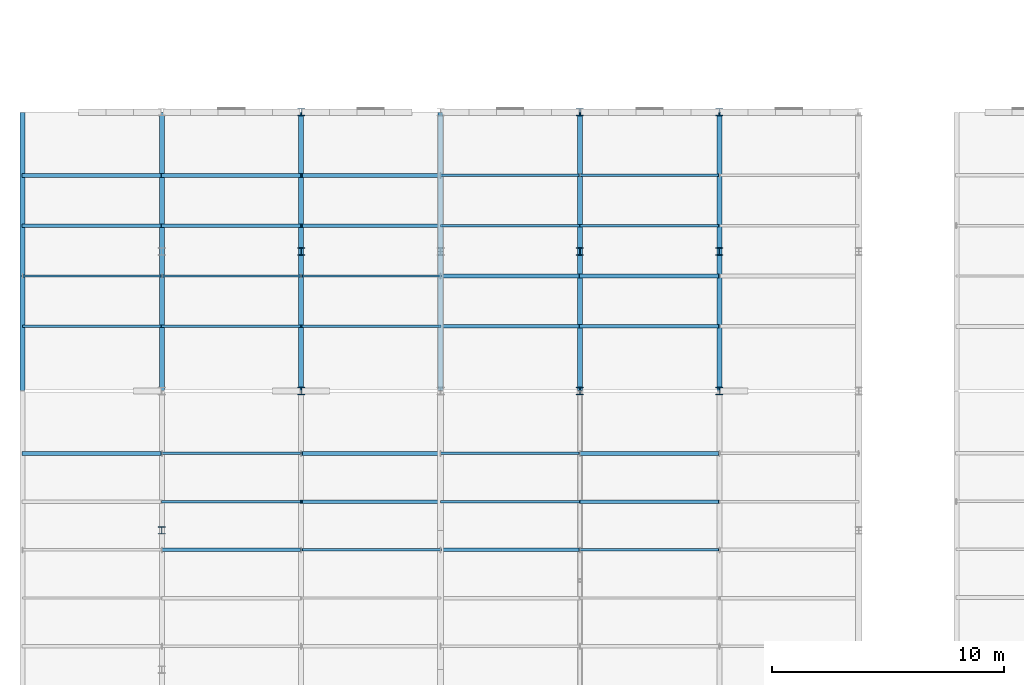
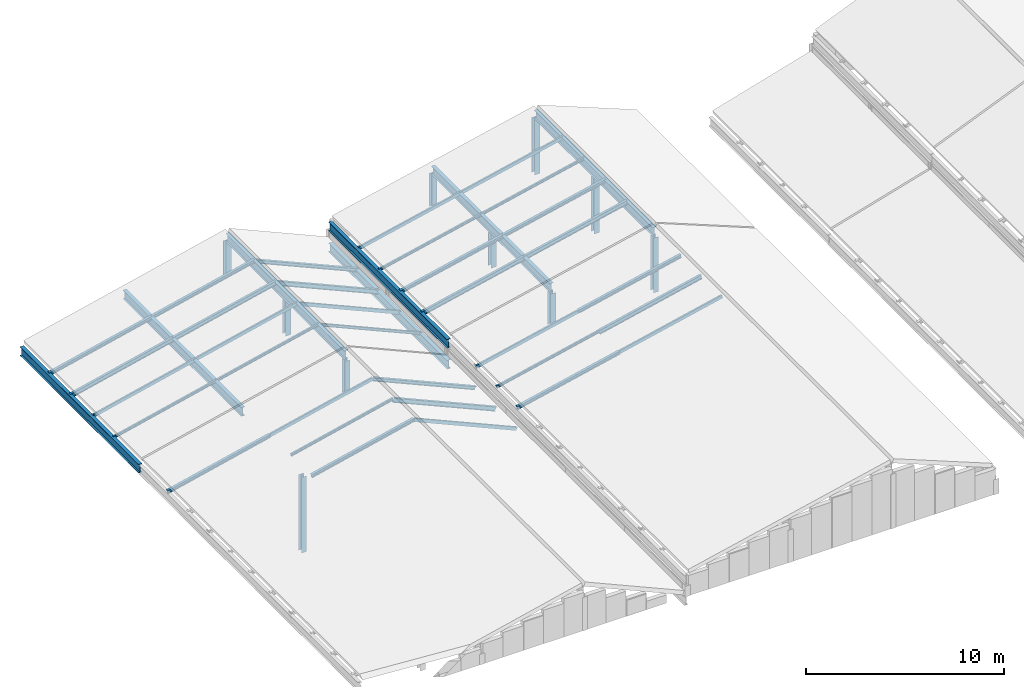
# One storey, part 5 of 74: 43 members, 7 beams.
"""IFC4 building model written with IfcOpenShell, lengths in metres."""

from ifc_helpers import new_model, si_unit, direction, frame, origin, origin_2d, place, context, subcontext, project, spatial, hollow_rectangle, i_section, extrude, material, material_profile, profile_set, type_object, element, save


model = new_model("IFC4")

# Units and contexts
model_context = context("Model", 3, precision=1e-05, world=origin(), true_north=direction((0.0, 1.0)))
body_context = subcontext(model_context, "Body", "Model", "MODEL_VIEW")
ifc_project = project(units=[si_unit("LENGTHUNIT", "METRE"), si_unit("AREAUNIT", "SQUARE_METRE"), si_unit("VOLUMEUNIT", "CUBIC_METRE"), si_unit("PLANEANGLEUNIT", "RADIAN"), si_unit("MASSUNIT", "GRAM", prefix="KILO")], contexts=[model_context])

# Site, building, storey
site_placement = place(None, origin())
site = spatial("IfcSite", under=ifc_project, at=site_placement, CompositionType="ELEMENT")
building_placement = place(site_placement, origin())
building = spatial("IfcBuilding", under=site, at=building_placement, Name="Siltcreek Boulevard Central Fire Station", CompositionType="ELEMENT")
storey_placement = place(building_placement, frame((0.0, 0.0, 25.199951171875)))
storey = spatial("IfcBuildingStorey", under=building, at=storey_placement, Name="RF", CompositionType="ELEMENT", Elevation=25.199951171875)

# Beams
ifc_material_1 = material(Name="Structural steel ASTM A992 Gr50", Category="steel")
ifc_material_profile_1 = material_profile(ifc_material_1, i_section(OverallWidth=0.2109375, OverallDepth=0.5390625, WebThickness=0.01171875, FlangeThickness=0.018798828125, at=origin_2d()), Name="W530X109")
ifc_profile_set_1 = profile_set([ifc_material_profile_1], Name="Structural steel ASTM A992 Gr50")
beam_type = type_object("IfcBeamType", Name="BM_W530X109", PredefinedType="BEAM", material=ifc_profile_set_1)
for number, where, z_axis, x_axis, name in (
    (1, (1.800048828125, 42.010009765625, -15.65283203125), (0.0, 1.0, 0.0), (-1.0, 0.0, 0.0), "Pitched roof rafter beam RFB-039"),
    (2, (7.800048828125, 42.010009765625, -14.2529296875), (0.0, 1.0, 0.0), (-1.0, 0.0, 0.0), "Pitched roof rafter beam RFB-040"),
    (3, (13.800048828125, 42.010009765625, -12.85302734375), (0.0, 1.0, 0.0), (-1.0, 0.0, 0.0), "Pitched roof rafter beam RFB-041"),
    (4, (19.800048828125, 42.010009765625, -15.54443359375), (0.0, 1.0, 0.0), (-1.0, 0.0, 0.0), "Pitched roof rafter beam RFB-042"),
    (5, (19.800048828125, 42.010009765625, -14.25146484375), (0.0, 1.0, 0.0), (-1.0, 0.0, 0.0), "Pitched roof rafter beam RFB-047"),
    (6, (25.800048828125, 42.010009765625, -12.9013671875), (0.0, 1.0, 0.0), (-1.0, 0.0, 0.0), "Pitched roof rafter beam RFB-048"),
    (7, (31.800048828125, 42.010009765625, -11.551513671875), (0.0, 1.0, 0.0), (-1.0, 0.0, 0.0), "Pitched roof rafter beam RFB-049"),
):
    element("IfcBeam", number, at=place(storey_placement, frame(where, z_axis=z_axis, x_axis=x_axis)), inside=storey, type_object=beam_type, Name=name, PredefinedType="BEAM", context=body_context, shape_type="SweptSolid", body=[
        extrude(i_section(OverallWidth=0.2109375, OverallDepth=0.5390625, WebThickness=0.01171875, FlangeThickness=0.018798828125, at=origin_2d()), origin(), (0.0, 0.0, 1.0), 11.97998046875),
    ])

# Members
ifc_material_profile_2 = material_profile(ifc_material_1, i_section(OverallWidth=0.304931640625, OverallDepth=0.30810546875, WebThickness=0.010009765625, FlangeThickness=0.015380859375, at=origin_2d()), Name="W310X97")
ifc_profile_set_2 = profile_set([ifc_material_profile_2], Name="Structural steel ASTM A992 Gr50")
member_type_1 = type_object("IfcMemberType", Name="CH_W310X97", PredefinedType="CHORD", material=ifc_profile_set_2)
member_1_placement = place(storey_placement, frame((7.800048828125, 36.0, -19.199951171875), z_axis=(0.0, 0.0, 1.0), x_axis=(1.0, 0.0, 0.0)))
element("IfcMember", 8, at=member_1_placement, inside=storey, type_object=member_type_1, Name="Roof bearing truss post 0662", PredefinedType="CHORD", context=body_context, shape_type="SweptSolid", body=[
    extrude(i_section(OverallWidth=0.304931640625, OverallDepth=0.30810546875, WebThickness=0.010009765625, FlangeThickness=0.015380859375, at=origin_2d()), origin(), (0.0, 0.0, 1.0), 4.660888671875),
])
for number, where, z_axis, x_axis, name in (
    (9, (13.800048828125, 42.0, -15.199951171875), (0.0, 0.0, 1.0), (1.0, 0.0, 0.0), "Roof bearing truss post 0667"),
    (10, (13.800048828125, 48.0, -15.199951171875), (0.0, 0.0, 1.0), (1.0, 0.0, 0.0), "Roof bearing truss post 0668"),
    (11, (13.800048828125, 54.0, -15.199951171875), (0.0, 0.0, 1.0), (1.0, 0.0, 0.0), "Roof bearing truss post 0669"),
):
    element("IfcMember", number, at=place(storey_placement, frame(where, z_axis=z_axis, x_axis=x_axis)), inside=storey, type_object=member_type_1, Name=name, PredefinedType="CHORD", context=body_context, shape_type="SweptSolid", body=[
        extrude(i_section(OverallWidth=0.304931640625, OverallDepth=0.30810546875, WebThickness=0.010009765625, FlangeThickness=0.015380859375, at=origin_2d()), origin(), (0.0, 0.0, 1.0), 2.08154296875),
    ])
for number, where, z_axis, x_axis, name in (
    (12, (25.800048828125, 42.0, -15.199951171875), (0.0, 0.0, 1.0), (1.0, 0.0, 0.0), "Roof bearing truss post 0675"),
    (13, (25.800048828125, 48.0, -15.199951171875), (0.0, 0.0, 1.0), (1.0, 0.0, 0.0), "Roof bearing truss post 0676"),
    (14, (25.800048828125, 54.0, -15.199951171875), (0.0, 0.0, 1.0), (1.0, 0.0, 0.0), "Roof bearing truss post 0677"),
):
    element("IfcMember", number, at=place(storey_placement, frame(where, z_axis=z_axis, x_axis=x_axis)), inside=storey, type_object=member_type_1, Name=name, PredefinedType="CHORD", context=body_context, shape_type="SweptSolid", body=[
        extrude(i_section(OverallWidth=0.304931640625, OverallDepth=0.30810546875, WebThickness=0.010009765625, FlangeThickness=0.015380859375, at=origin_2d()), origin(), (0.0, 0.0, 1.0), 2.032958984375),
    ])
for number, where, z_axis, x_axis, name in (
    (15, (31.800048828125, 42.0, -15.199951171875), (0.0, 0.0, 1.0), (1.0, 0.0, 0.0), "Roof bearing truss post 0679"),
    (16, (31.800048828125, 48.0, -15.199951171875), (0.0, 0.0, 1.0), (1.0, 0.0, 0.0), "Roof bearing truss post 0680"),
    (17, (31.800048828125, 54.0, -15.199951171875), (0.0, 0.0, 1.0), (1.0, 0.0, 0.0), "Roof bearing truss post 0681"),
):
    element("IfcMember", number, at=place(storey_placement, frame(where, z_axis=z_axis, x_axis=x_axis)), inside=storey, type_object=member_type_1, Name=name, PredefinedType="CHORD", context=body_context, shape_type="SweptSolid", body=[
        extrude(i_section(OverallWidth=0.304931640625, OverallDepth=0.30810546875, WebThickness=0.010009765625, FlangeThickness=0.015380859375, at=origin_2d()), origin(), (0.0, 0.0, 1.0), 3.383056640625),
    ])
ifc_material_2 = material(Name="Structural steel ASTM A500 GrC", Category="steel")
ifc_material_profile_3 = material_profile(ifc_material_2, hollow_rectangle(XDim=0.10009765625, YDim=0.199951171875, WallThickness=0.00634765625, at=origin_2d()), Name="HSS200X100X6.4")
ifc_profile_set_3 = profile_set([ifc_material_profile_3], Name="Structural steel ASTM A500 GrC")
member_type_2 = type_object("IfcMemberType", Name="PR_HSS200X100", PredefinedType="PURLIN", material=ifc_profile_set_3)
member_2_placement = place(storey_placement, frame((7.81005859375, 39.313720703125, -14.071044921875), z_axis=(0.973843555816, 0.0, 0.227219560769), x_axis=(0.0, 1.0, 0.0)))
element("IfcMember", 18, at=member_2_placement, inside=storey, type_object=member_type_2, Name="Sloped roof purlin PR-0203", PredefinedType="PURLIN", context=body_context, shape_type="SweptSolid", body=[
    extrude(hollow_rectangle(XDim=0.10009765625, YDim=0.199951171875, WallThickness=0.00634765625, at=origin_2d()), origin(), (0.0, 0.0, 1.0), 6.140625),
])
member_3_placement = place(storey_placement, frame((13.81005859375, 35.160888671875, -12.700927734375), z_axis=(0.914754658984, 0.0, -0.404009794272), x_axis=(0.0, 1.0, 0.0)))
element("IfcMember", 19, at=member_3_placement, inside=storey, type_object=member_type_2, Name="Sloped roof purlin PR-0211", PredefinedType="PURLIN", context=body_context, shape_type="SweptSolid", body=[
    extrude(hollow_rectangle(XDim=0.10009765625, YDim=0.199951171875, WallThickness=0.00634765625, at=origin_2d()), origin(), (0.0, 0.0, 1.0), 6.537353515625),
])
for number, where, z_axis, x_axis, name in (
    (20, (1.81005859375, 46.946044921875, -15.450439453125), (0.973843555816, 0.0, 0.227219560769), (0.0, 1.0, 0.0), "Sloped roof purlin PR-0215"),
    (21, (7.81005859375, 46.946044921875, -14.050537109375), (0.973834757562, 0.0, 0.227257266033), (0.0, 1.0, 0.0), "Sloped roof purlin PR-0219"),
):
    element("IfcMember", number, at=place(storey_placement, frame(where, z_axis=z_axis, x_axis=x_axis)), inside=storey, type_object=member_type_2, Name=name, PredefinedType="PURLIN", context=body_context, shape_type="SweptSolid", body=[
        extrude(hollow_rectangle(XDim=0.10009765625, YDim=0.199951171875, WallThickness=0.00634765625, at=origin_2d()), origin(), (0.0, 0.0, 1.0), 6.140625),
    ])
member_4_placement = place(storey_placement, frame((13.81005859375, 46.946044921875, -12.67919921875), z_axis=(0.914754658984, 0.0, -0.404009794272), x_axis=(0.0, 1.0, 0.0)))
element("IfcMember", 22, at=member_4_placement, inside=storey, type_object=member_type_2, Name="Sloped roof purlin PR-0223", PredefinedType="PURLIN", context=body_context, shape_type="SweptSolid", body=[
    extrude(hollow_rectangle(XDim=0.10009765625, YDim=0.199951171875, WallThickness=0.00634765625, at=origin_2d()), origin(), (0.0, 0.0, 1.0), 6.537353515625),
])
member_5_placement = place(storey_placement, frame((19.81005859375, 39.313720703125, -14.070556640625), z_axis=(0.975602505083, 0.0, 0.219544419369), x_axis=(0.0, 1.0, 0.0)))
element("IfcMember", 23, at=member_5_placement, inside=storey, type_object=member_type_2, Name="Sloped roof purlin PR-0235", PredefinedType="PURLIN", context=body_context, shape_type="SweptSolid", body=[
    extrude(hollow_rectangle(XDim=0.10009765625, YDim=0.199951171875, WallThickness=0.00634765625, at=origin_2d()), origin(), (0.0, 0.0, 1.0), 6.129638671875),
])
member_6_placement = place(storey_placement, frame((25.81005859375, 35.160888671875, -12.720458984375), z_axis=(0.975611035589, 0.0, 0.219506508416), x_axis=(0.0, 1.0, 0.0)))
element("IfcMember", 24, at=member_6_placement, inside=storey, type_object=member_type_2, Name="Sloped roof purlin PR-0243", PredefinedType="PURLIN", context=body_context, shape_type="SweptSolid", body=[
    extrude(hollow_rectangle(XDim=0.10009765625, YDim=0.199951171875, WallThickness=0.00634765625, at=origin_2d()), origin(), (0.0, 0.0, 1.0), 6.12939453125),
])
member_7_placement = place(storey_placement, frame((19.81005859375, 51.281982421875, -14.050048828125), z_axis=(0.975602505083, 0.0, 0.219544419369), x_axis=(0.0, 1.0, 0.0)))
element("IfcMember", 25, at=member_7_placement, inside=storey, type_object=member_type_2, Name="Sloped roof purlin PR-0259", PredefinedType="PURLIN", context=body_context, shape_type="SweptSolid", body=[
    extrude(hollow_rectangle(XDim=0.10009765625, YDim=0.199951171875, WallThickness=0.00634765625, at=origin_2d()), origin(), (0.0, 0.0, 1.0), 6.129638671875),
])
member_8_placement = place(storey_placement, frame((25.81005859375, 51.281982421875, -12.699951171875), z_axis=(0.975611035589, 0.0, 0.219506508416), x_axis=(0.0, 1.0, 0.0)))
element("IfcMember", 26, at=member_8_placement, inside=storey, type_object=member_type_2, Name="Sloped roof purlin PR-0263", PredefinedType="PURLIN", context=body_context, shape_type="SweptSolid", body=[
    extrude(hollow_rectangle(XDim=0.10009765625, YDim=0.199951171875, WallThickness=0.00634765625, at=origin_2d()), origin(), (0.0, 0.0, 1.0), 6.12939453125),
])
ifc_material_profile_4 = material_profile(ifc_material_1, i_section(OverallWidth=0.10205078125, OverallDepth=0.159912109375, WebThickness=0.006591796875, FlangeThickness=0.01025390625, at=origin_2d()), Name="W150X24")
ifc_profile_set_4 = profile_set([ifc_material_profile_4], Name="Structural steel ASTM A992 Gr50")
member_type_3 = type_object("IfcMemberType", Name="PR_W150X24", PredefinedType="PURLIN", material=ifc_profile_set_4)
for number, where, z_axis, x_axis, name in (
    (27, (7.81005859375, 37.2373046875, -14.050537109375), (0.973834757562, 0.0, 0.227257266033), (0.0, 1.0, 0.0), "Sloped roof purlin PR-0202"),
    (28, (1.81005859375, 44.778076171875, -15.429931640625), (0.973843555816, 0.0, 0.227219560769), (0.0, 1.0, 0.0), "Sloped roof purlin PR-0214"),
    (29, (7.81005859375, 44.778076171875, -14.030029296875), (0.973834757562, 0.0, 0.227257266033), (0.0, 1.0, 0.0), "Sloped roof purlin PR-0218"),
):
    element("IfcMember", number, at=place(storey_placement, frame(where, z_axis=z_axis, x_axis=x_axis)), inside=storey, type_object=member_type_3, Name=name, PredefinedType="PURLIN", context=body_context, shape_type="SweptSolid", body=[
        extrude(i_section(OverallWidth=0.10205078125, OverallDepth=0.159912109375, WebThickness=0.006591796875, FlangeThickness=0.01025390625, at=origin_2d()), origin(), (0.0, 0.0, 1.0), 6.140625),
    ])
member_9_placement = place(storey_placement, frame((13.81005859375, 44.778076171875, -12.6572265625), z_axis=(0.914754658984, 0.0, -0.404009794272), x_axis=(0.0, 1.0, 0.0)))
element("IfcMember", 30, at=member_9_placement, inside=storey, type_object=member_type_3, Name="Sloped roof purlin PR-0222", PredefinedType="PURLIN", context=body_context, shape_type="SweptSolid", body=[
    extrude(i_section(OverallWidth=0.10205078125, OverallDepth=0.159912109375, WebThickness=0.006591796875, FlangeThickness=0.01025390625, at=origin_2d()), origin(), (0.0, 0.0, 1.0), 6.537353515625),
])
for number, where, z_axis, x_axis, name in (
    (31, (19.81005859375, 37.2373046875, -14.050048828125), (0.975602505083, 0.0, 0.219544419369), (0.0, 1.0, 0.0), "Sloped roof purlin PR-0234"),
    (32, (19.81005859375, 49.114013671875, -14.029541015625), (0.975602505083, 0.0, 0.219544419369), (0.0, 1.0, 0.0), "Sloped roof purlin PR-0258"),
):
    element("IfcMember", number, at=place(storey_placement, frame(where, z_axis=z_axis, x_axis=x_axis)), inside=storey, type_object=member_type_3, Name=name, PredefinedType="PURLIN", context=body_context, shape_type="SweptSolid", body=[
        extrude(i_section(OverallWidth=0.10205078125, OverallDepth=0.159912109375, WebThickness=0.006591796875, FlangeThickness=0.01025390625, at=origin_2d()), origin(), (0.0, 0.0, 1.0), 6.129638671875),
    ])
member_10_placement = place(storey_placement, frame((25.81005859375, 49.114013671875, -12.679443359375), z_axis=(0.975611035589, 0.0, 0.219506508416), x_axis=(0.0, 1.0, 0.0)))
element("IfcMember", 33, at=member_10_placement, inside=storey, type_object=member_type_3, Name="Sloped roof purlin PR-0262", PredefinedType="PURLIN", context=body_context, shape_type="SweptSolid", body=[
    extrude(i_section(OverallWidth=0.10205078125, OverallDepth=0.159912109375, WebThickness=0.006591796875, FlangeThickness=0.01025390625, at=origin_2d()), origin(), (0.0, 0.0, 1.0), 6.12939453125),
])
ifc_material_profile_5 = material_profile(ifc_material_1, i_section(OverallWidth=0.1650390625, OverallDepth=0.200927734375, WebThickness=0.006103515625, FlangeThickness=0.01025390625, at=origin_2d()), Name="W200X36")
ifc_profile_set_5 = profile_set([ifc_material_profile_5], Name="Structural steel ASTM A992 Gr50")
member_type_4 = type_object("IfcMemberType", Name="PR_W200X36", PredefinedType="PURLIN", material=ifc_profile_set_5)
for number, where, z_axis, x_axis, name in (
    (34, (1.81005859375, 39.313720703125, -15.471435546875), (0.973843555816, 0.0, 0.227219560769), (0.0, 1.0, 0.0), "Sloped roof purlin PR-0193"),
    (35, (7.81005859375, 35.160888671875, -14.071533203125), (0.973843555816, 0.0, 0.227219560769), (0.0, 1.0, 0.0), "Sloped roof purlin PR-0201"),
):
    element("IfcMember", number, at=place(storey_placement, frame(where, z_axis=z_axis, x_axis=x_axis)), inside=storey, type_object=member_type_4, Name=name, PredefinedType="PURLIN", context=body_context, shape_type="SweptSolid", body=[
        extrude(i_section(OverallWidth=0.1650390625, OverallDepth=0.200927734375, WebThickness=0.006103515625, FlangeThickness=0.01025390625, at=origin_2d()), origin(), (0.0, 0.0, 1.0), 6.140625),
    ])
member_11_placement = place(storey_placement, frame((13.81005859375, 39.313720703125, -12.701416015625), z_axis=(0.914740856677, 0.0, -0.404041043863), x_axis=(0.0, 1.0, 0.0)))
element("IfcMember", 36, at=member_11_placement, inside=storey, type_object=member_type_4, Name="Sloped roof purlin PR-0213", PredefinedType="PURLIN", context=body_context, shape_type="SweptSolid", body=[
    extrude(i_section(OverallWidth=0.1650390625, OverallDepth=0.200927734375, WebThickness=0.006103515625, FlangeThickness=0.01025390625, at=origin_2d()), origin(), (0.0, 0.0, 1.0), 6.537353515625),
])
for number, where, z_axis, x_axis, name in (
    (37, (1.81005859375, 51.281982421875, -15.450927734375), (0.973843555816, 0.0, 0.227219560769), (0.0, 1.0, 0.0), "Sloped roof purlin PR-0217"),
    (38, (7.81005859375, 51.281982421875, -14.051025390625), (0.973843555816, 0.0, 0.227219560769), (0.0, 1.0, 0.0), "Sloped roof purlin PR-0221"),
):
    element("IfcMember", number, at=place(storey_placement, frame(where, z_axis=z_axis, x_axis=x_axis)), inside=storey, type_object=member_type_4, Name=name, PredefinedType="PURLIN", context=body_context, shape_type="SweptSolid", body=[
        extrude(i_section(OverallWidth=0.1650390625, OverallDepth=0.200927734375, WebThickness=0.006103515625, FlangeThickness=0.01025390625, at=origin_2d()), origin(), (0.0, 0.0, 1.0), 6.140625),
    ])
member_12_placement = place(storey_placement, frame((13.81005859375, 51.281982421875, -12.6796875), z_axis=(0.914754658984, 0.0, -0.404009794272), x_axis=(0.0, 1.0, 0.0)))
element("IfcMember", 39, at=member_12_placement, inside=storey, type_object=member_type_4, Name="Sloped roof purlin PR-0225", PredefinedType="PURLIN", context=body_context, shape_type="SweptSolid", body=[
    extrude(i_section(OverallWidth=0.1650390625, OverallDepth=0.200927734375, WebThickness=0.006103515625, FlangeThickness=0.01025390625, at=origin_2d()), origin(), (0.0, 0.0, 1.0), 6.537353515625),
])
for number, where, z_axis, x_axis, name in (
    (40, (19.81005859375, 35.160888671875, -14.071044921875), (0.975611035589, 0.0, 0.219506508416), (0.0, 1.0, 0.0), "Sloped roof purlin PR-0233"),
    (41, (25.81005859375, 39.313720703125, -12.720947265625), (0.975611035589, 0.0, 0.219506508416), (0.0, 1.0, 0.0), "Sloped roof purlin PR-0245"),
    (42, (19.81005859375, 46.946044921875, -14.050537109375), (0.975611035589, 0.0, 0.219506508416), (0.0, 1.0, 0.0), "Sloped roof purlin PR-0257"),
    (43, (25.81005859375, 46.946044921875, -12.700439453125), (0.975611035589, 0.0, 0.219506508416), (0.0, 1.0, 0.0), "Sloped roof purlin PR-0261"),
):
    element("IfcMember", number, at=place(storey_placement, frame(where, z_axis=z_axis, x_axis=x_axis)), inside=storey, type_object=member_type_4, Name=name, PredefinedType="PURLIN", context=body_context, shape_type="SweptSolid", body=[
        extrude(i_section(OverallWidth=0.1650390625, OverallDepth=0.200927734375, WebThickness=0.006103515625, FlangeThickness=0.01025390625, at=origin_2d()), origin(), (0.0, 0.0, 1.0), 6.12939453125),
    ])
ifc_material_profile_6 = material_profile(ifc_material_1, i_section(OverallWidth=0.14697265625, OverallDepth=0.261962890625, WebThickness=0.006591796875, FlangeThickness=0.01123046875, at=origin_2d()), Name="W250X39")
ifc_profile_set_6 = profile_set([ifc_material_profile_6], Name="Structural steel ASTM A992 Gr50")
member_type_5 = type_object("IfcMemberType", Name="PR_W250X39", PredefinedType="PURLIN", material=ifc_profile_set_6)
member_13_placement = place(storey_placement, frame((13.81005859375, 37.2373046875, -12.73486328125), z_axis=(0.914754658984, 0.0, -0.404009794272), x_axis=(0.0, 1.0, 0.0)))
element("IfcMember", 44, at=member_13_placement, inside=storey, type_object=member_type_5, Name="Sloped roof purlin PR-0212", PredefinedType="PURLIN", context=body_context, shape_type="SweptSolid", body=[
    extrude(i_section(OverallWidth=0.14697265625, OverallDepth=0.261962890625, WebThickness=0.006591796875, FlangeThickness=0.01123046875, at=origin_2d()), origin(), (0.0, 0.0, 1.0), 6.537353515625),
])
for number, where, z_axis, x_axis, name in (
    (45, (1.81005859375, 49.114013671875, -15.482421875), (0.973834757562, 0.0, 0.227257266033), (0.0, 1.0, 0.0), "Sloped roof purlin PR-0216"),
    (46, (7.81005859375, 49.114013671875, -14.082275390625), (0.973843555816, 0.0, 0.227219560769), (0.0, 1.0, 0.0), "Sloped roof purlin PR-0220"),
):
    element("IfcMember", number, at=place(storey_placement, frame(where, z_axis=z_axis, x_axis=x_axis)), inside=storey, type_object=member_type_5, Name=name, PredefinedType="PURLIN", context=body_context, shape_type="SweptSolid", body=[
        extrude(i_section(OverallWidth=0.14697265625, OverallDepth=0.261962890625, WebThickness=0.006591796875, FlangeThickness=0.01123046875, at=origin_2d()), origin(), (0.0, 0.0, 1.0), 6.140625),
    ])
member_14_placement = place(storey_placement, frame((13.81005859375, 49.114013671875, -12.712890625), z_axis=(0.914740856677, 0.0, -0.404041043863), x_axis=(0.0, 1.0, 0.0)))
element("IfcMember", 47, at=member_14_placement, inside=storey, type_object=member_type_5, Name="Sloped roof purlin PR-0224", PredefinedType="PURLIN", context=body_context, shape_type="SweptSolid", body=[
    extrude(i_section(OverallWidth=0.14697265625, OverallDepth=0.261962890625, WebThickness=0.006591796875, FlangeThickness=0.01123046875, at=origin_2d()), origin(), (0.0, 0.0, 1.0), 6.537353515625),
])
for number, where, z_axis, x_axis, name in (
    (48, (25.81005859375, 37.2373046875, -12.752197265625), (0.975611035589, 0.0, 0.219506508416), (0.0, 1.0, 0.0), "Sloped roof purlin PR-0244"),
    (49, (19.81005859375, 44.778076171875, -14.081787109375), (0.975611035589, 0.0, 0.219506508416), (0.0, 1.0, 0.0), "Sloped roof purlin PR-0256"),
    (50, (25.81005859375, 44.778076171875, -12.731689453125), (0.975611035589, 0.0, 0.219506508416), (0.0, 1.0, 0.0), "Sloped roof purlin PR-0260"),
):
    element("IfcMember", number, at=place(storey_placement, frame(where, z_axis=z_axis, x_axis=x_axis)), inside=storey, type_object=member_type_5, Name=name, PredefinedType="PURLIN", context=body_context, shape_type="SweptSolid", body=[
        extrude(i_section(OverallWidth=0.14697265625, OverallDepth=0.261962890625, WebThickness=0.006591796875, FlangeThickness=0.01123046875, at=origin_2d()), origin(), (0.0, 0.0, 1.0), 6.12939453125),
    ])

save(model, "model.ifc")
